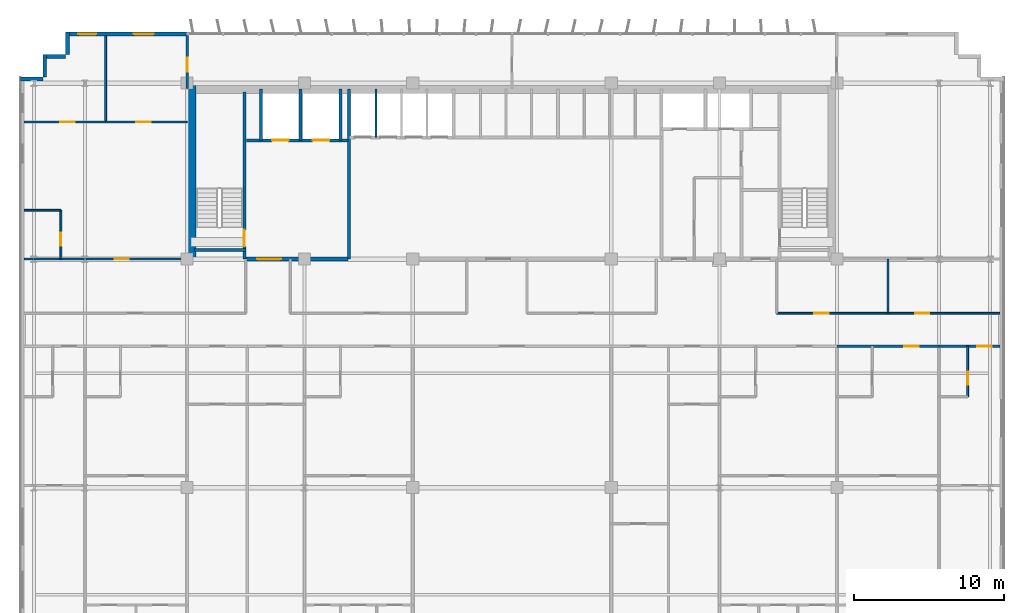
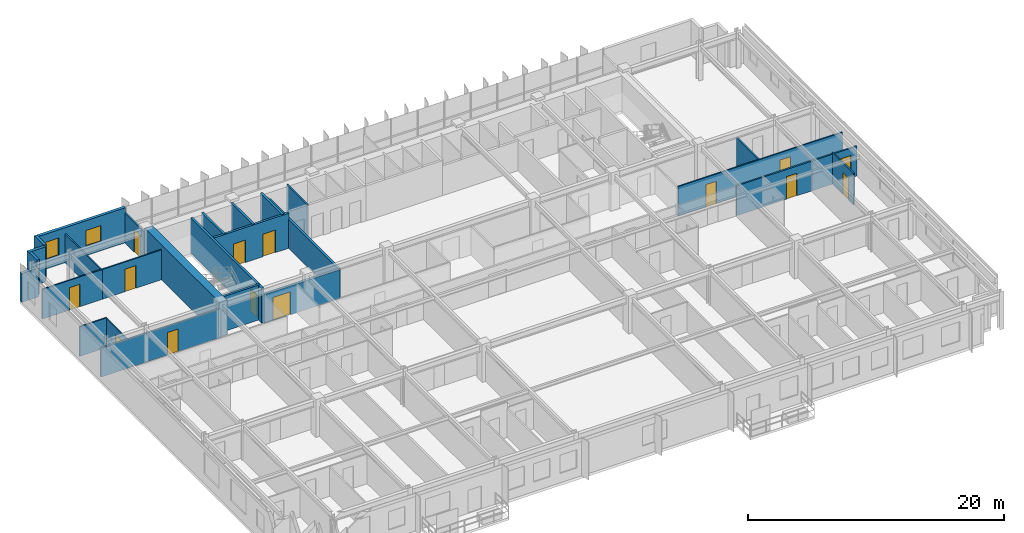
# One storey, part 17 of 22: 27 walls, 14 doors, 2 windows, 16 openings.
"""IFC4 building model written with IfcOpenShell, lengths in metres."""

from ifc_helpers import new_model, si_unit, direction, frame, frame_2d, origin, place, context, subcontext, project, spatial, rectangle, extrude, source, transform, mapped, material, layer, layer_set, type_object, element, fill, save


model = new_model("IFC4")

# Units and contexts
model_context = context("Model", 3, precision=1e-05, world=origin(), true_north=direction((0.0, 1.0)))
body_context = subcontext(model_context, "Body", "Model", "MODEL_VIEW")
ifc_project = project(units=[si_unit("LENGTHUNIT", "METRE"), si_unit("AREAUNIT", "SQUARE_METRE"), si_unit("VOLUMEUNIT", "CUBIC_METRE"), si_unit("PLANEANGLEUNIT", "RADIAN"), si_unit("MASSUNIT", "GRAM", prefix="KILO")], contexts=[model_context])

# Site, building, storey
site_placement = place(None, origin())
site = spatial("IfcSite", under=ifc_project, at=site_placement, CompositionType="ELEMENT")
building_placement = place(site_placement, origin())
building = spatial("IfcBuilding", under=site, at=building_placement, Name="Trelvane Seafront Commons", CompositionType="ELEMENT")
storey_placement = place(building_placement, frame((0.0, 0.0, 92.5)))
storey = spatial("IfcBuildingStorey", under=building, at=storey_placement, Name="L23", CompositionType="ELEMENT", Elevation=92.5)

# Wall, openings, windows
ifc_material_1 = material(Name="Precast concrete C40/50", Category="concrete")
ifc_layer_1 = layer(ifc_material_1, 0.260009765625, Name="ARCH-WALL-EXT260")
ifc_layer_set_1 = layer_set([ifc_layer_1], Name="Precast concrete C40/50")
wall_type_1 = type_object("IfcWallType", Name="ARCH-WALL-EXT260", PredefinedType="SOLIDWALL", material=ifc_layer_set_1)
wall_1_placement = place(storey_placement, frame((7.60009765625, 48.3701171875, 0.0), z_axis=(0.0, 0.0, 1.0), x_axis=(1.0, 0.0, 0.0)))
wall_1 = element("IfcWall", 1, at=wall_1_placement, inside=storey, type_object=wall_type_1, Name="EW-L23-NW-0412", PredefinedType="SOLIDWALL", context=body_context, shape_type="SweptSolid", body=[
    extrude(rectangle(XDim=8.0, YDim=0.260009765625, at=frame_2d((4.0, 0.0))), origin(), (0.0, 0.0, 1.0), 3.340087890625),
])
opening_1_placement = place(wall_1_placement, frame((0.76806640625, 0.0, 0.89990234375)))
opening_1 = element("IfcOpeningElement", 2, at=opening_1_placement, cuts=wall_1, Name="Opening W05", PredefinedType="OPENING", context=body_context, shape_type="SweptSolid", body=[
    extrude(rectangle(XDim=1.199951171875, YDim=1.64990234375, at=frame_2d((0.60009765625, 0.824951171875))), frame((0.0, 0.139892578125, 0.0), z_axis=(0.0, -1.0, 0.0), x_axis=(1.0, 0.0, 0.0)), (0.0, 0.0, 1.0), 0.280029296875),
])
opening_2_placement = place(wall_1_placement, frame((4.44091796875, 0.0, 0.89990234375)))
opening_2 = element("IfcOpeningElement", 3, at=opening_2_placement, cuts=wall_1, Name="Opening W09", PredefinedType="OPENING", context=body_context, shape_type="SweptSolid", body=[
    extrude(rectangle(XDim=1.35009765625, YDim=1.5, at=frame_2d((0.675048828125, 0.75))), frame((0.0, 0.139892578125, 0.0), z_axis=(0.0, -1.0, 0.0), x_axis=(1.0, 0.0, 0.0)), (0.0, 0.0, 1.0), 0.280029296875),
])
ifc_material_2 = material(Name="Low-E coastal double glazing", Category="glass")
window_type_1 = type_object("IfcWindowType", Name="ARCH-WIN-W09", PartitioningType="SINGLE_PANEL", PredefinedType="WINDOW", material=ifc_material_2)
shared_shape_1 = source(origin(), body_context, "Body", "SweptSolid", [
    extrude(rectangle(XDim=1.35009765625, YDim=1.5, at=frame_2d((0.675048828125, 0.75))), frame((0.0, 0.030029296875, 0.0), z_axis=(0.0, -1.0, 0.0), x_axis=(1.0, 0.0, 0.0)), (0.0, 0.0, 1.0), 0.06005859375),
])
window_1_placement = place(opening_2_placement, origin())
window_1 = element("IfcWindow", 4, at=window_1_placement, inside=storey, type_object=window_type_1, Name="WIN-L23-00477", OverallHeight=1.5, OverallWidth=1.35009765625, PartitioningType="SINGLE_PANEL", PredefinedType="WINDOW", context=body_context, shape_type="MappedRepresentation", body=[
    mapped(shared_shape_1, transform((0.0, 0.0, 0.0), x_axis=(1.0, 0.0, 0.0), y_axis=(0.0, 1.0, 0.0), z_axis=(0.0, 0.0, 1.0), scale=1.0)),
])
fill(opening_2, window_1)
window_type_2 = type_object("IfcWindowType", Name="ARCH-WIN-W05", PartitioningType="SINGLE_PANEL", PredefinedType="WINDOW", material=ifc_material_2)
shared_shape_2 = source(origin(), body_context, "Body", "SweptSolid", [
    extrude(rectangle(XDim=1.199951171875, YDim=1.64990234375, at=frame_2d((0.60009765625, 0.824951171875))), frame((0.0, 0.030029296875, 0.0), z_axis=(0.0, -1.0, 0.0), x_axis=(1.0, 0.0, 0.0)), (0.0, 0.0, 1.0), 0.06005859375),
])
window_2_placement = place(opening_1_placement, origin())
window_2 = element("IfcWindow", 5, at=window_2_placement, inside=storey, type_object=window_type_2, Name="WIN-L23-00476", OverallHeight=1.64990234375, OverallWidth=1.199951171875, PartitioningType="SINGLE_PANEL", PredefinedType="WINDOW", context=body_context, shape_type="MappedRepresentation", body=[
    mapped(shared_shape_2, transform((0.0, 0.0, 0.0), x_axis=(1.0, 0.0, 0.0), y_axis=(0.0, 1.0, 0.0), z_axis=(0.0, 0.0, 1.0), scale=1.0)),
])
fill(opening_1, window_2)

# Walls
wall_2_placement = place(storey_placement, frame((4.5, 45.3701171875, 0.0), z_axis=(0.0, 0.0, 1.0), x_axis=(1.0, 0.0, 0.0)))
element("IfcWall", 6, at=wall_2_placement, inside=storey, type_object=wall_type_1, Name="EW-L23-00418", PredefinedType="SOLIDWALL", context=body_context, shape_type="SweptSolid", body=[
    extrude(rectangle(XDim=1.5, YDim=0.260009765625, at=frame_2d((0.75, 0.0))), origin(), (0.0, 0.0, 1.0), 2.751953125),
])
for number, where, z_axis, x_axis, name in (
    (7, (6.1298828125, 45.5, 0.0), (0.0, 0.0, 1.0), (0.0, 1.0, 0.0), "EW-L23-00419"),
    (8, (6.0, 46.8701171875, 0.0), (0.0, 0.0, 1.0), (1.0, 0.0, 0.0), "EW-L23-00420"),
    (9, (7.6298828125, 47.0, 0.0), (0.0, 0.0, 1.0), (0.0, 1.0, 0.0), "EW-L23-00421"),
):
    element("IfcWall", number, at=place(storey_placement, frame(where, z_axis=z_axis, x_axis=x_axis)), inside=storey, type_object=wall_type_1, Name=name, PredefinedType="SOLIDWALL", context=body_context, shape_type="SweptSolid", body=[
        extrude(rectangle(XDim=1.5, YDim=0.260009765625, at=frame_2d((0.75, 0.0))), origin(), (0.0, 0.0, 1.0), 3.340087890625),
    ])

# Wall, opening, door
ifc_material_3 = material(Name="Concrete C40/50", Category="concrete")
ifc_layer_2 = layer(ifc_material_3, 0.25, Name="ARCH-WALL-FIRE250")
ifc_layer_set_2 = layer_set([ifc_layer_2], Name="Concrete C40/50")
wall_type_2 = type_object("IfcWallType", Name="ARCH-WALL-FIRE250", PredefinedType="PARTITIONING", material=ifc_layer_set_2)
wall_3_placement = place(storey_placement, frame((19.5, 33.39990234375, 0.0), z_axis=(0.0, 0.0, 1.0), x_axis=(1.0, 0.0, 0.0)))
wall_3 = element("IfcWall", 10, at=wall_3_placement, inside=storey, type_object=wall_type_2, Name="W-L23-CS-FFL-013", PredefinedType="PARTITIONING", context=body_context, shape_type="SweptSolid", body=[
    extrude(rectangle(XDim=6.800048828125, YDim=0.25, at=frame_2d((3.39990234375, 0.0))), origin(), (0.0, 0.0, 1.0), 2.751953125),
])
opening_3_placement = place(wall_3_placement, frame((0.75, 0.0, 0.0)))
opening_3 = element("IfcOpeningElement", 11, at=opening_3_placement, cuts=wall_3, Name="Opening FD-L23-05", PredefinedType="OPENING", context=body_context, shape_type="SweptSolid", body=[
    extrude(rectangle(XDim=1.60009765625, YDim=2.199951171875, at=frame_2d((0.800048828125, 1.10009765625))), frame((0.0, 0.135009765625, 0.0), z_axis=(0.0, -1.0, 0.0), x_axis=(1.0, 0.0, 0.0)), (0.0, 0.0, 1.0), 0.27001953125),
])
ifc_material_4 = material(Name="Powder-coated aluminium frame", Category="aluminium")
door_type_1 = type_object("IfcDoorType", Name="ARCH-DR-FD60-1600", OperationType="DOUBLE_DOOR_SINGLE_SWING", PredefinedType="DOOR", material=ifc_material_4)
shared_shape_3 = source(origin(), body_context, "Body", "SweptSolid", [
    extrude(rectangle(XDim=1.60009765625, YDim=2.199951171875, at=frame_2d((0.800048828125, 1.10009765625))), frame((0.0, 0.02490234375, 0.0), z_axis=(0.0, -1.0, 0.0), x_axis=(1.0, 0.0, 0.0)), (0.0, 0.0, 1.0), 0.050048828125),
])
door_1_placement = place(opening_3_placement, origin())
door_1 = element("IfcDoor", 12, at=door_1_placement, inside=storey, type_object=door_type_1, Name="L23 Firefighting Lift Lobby Double Fire Door", OperationType="DOUBLE_DOOR_SINGLE_SWING", OverallHeight=2.199951171875, OverallWidth=1.60009765625, PredefinedType="DOOR", context=body_context, shape_type="MappedRepresentation", body=[
    mapped(shared_shape_3, transform((0.0, 0.0, 0.0), x_axis=(1.0, 0.0, 0.0), y_axis=(0.0, 1.0, 0.0), z_axis=(0.0, 0.0, 1.0), scale=1.0)),
])
fill(opening_3, door_1)

# Wall
ifc_material_5 = material(Name="Gypsum Drywall Acoustic Partition")
ifc_layer_3 = layer(ifc_material_5, 0.1201171875, Name="ARCH-WALL-PART120")
ifc_layer_set_3 = layer_set([ifc_layer_3], Name="Gypsum Drywall Acoustic Partition")
wall_type_3 = type_object("IfcWallType", Name="ARCH-WALL-PART120", PredefinedType="PARTITIONING", material=ifc_layer_set_3)
wall_4_placement = place(storey_placement, frame((28.14990234375, 41.5, 0.0), z_axis=(0.0, 0.0, 1.0), x_axis=(0.0, 1.0, 0.0)))
element("IfcWall", 13, at=wall_4_placement, inside=storey, type_object=wall_type_3, Name="W-L23-PL-DIV1-016", PredefinedType="PARTITIONING", context=body_context, shape_type="SweptSolid", body=[
    extrude(rectangle(XDim=3.199951171875, YDim=0.1201171875, at=frame_2d((1.60009765625, 0.0))), origin(), (0.0, 0.0, 1.0), 3.340087890625),
])

# Wall, openings, doors
wall_5_placement = place(storey_placement, frame((54.800048828125, 29.800048828125, 0.0), z_axis=(0.0, 0.0, 1.0), x_axis=(1.0, 0.0, 0.0)))
wall_5 = element("IfcWall", 14, at=wall_5_placement, inside=storey, type_object=wall_type_3, Name="W-L23-CORR-N-E-041", PredefinedType="PARTITIONING", context=body_context, shape_type="SweptSolid", body=[
    extrude(rectangle(XDim=14.849853515625, YDim=0.1201171875, at=frame_2d((7.4248046875, 0.0))), origin(), (0.0, 0.0, 1.0), 2.840087890625),
])
opening_4_placement = place(wall_5_placement, frame((2.5, 0.0, 0.0)))
opening_4 = element("IfcOpeningElement", 15, at=opening_4_placement, cuts=wall_5, Name="Opening D-L23-20", PredefinedType="OPENING", context=body_context, shape_type="SweptSolid", body=[
    extrude(rectangle(XDim=0.949951171875, YDim=2.14990234375, at=frame_2d((0.47509765625, 1.074951171875))), frame((0.0, 0.070068359375, 0.0), z_axis=(0.0, -1.0, 0.0), x_axis=(1.0, 0.0, 0.0)), (0.0, 0.0, 1.0), 0.14013671875),
])
opening_5_placement = place(wall_5_placement, frame((9.199951171875, 0.0, 0.0)))
opening_5 = element("IfcOpeningElement", 16, at=opening_5_placement, cuts=wall_5, Name="Opening D-L23-21", PredefinedType="OPENING", context=body_context, shape_type="SweptSolid", body=[
    extrude(rectangle(XDim=0.949951171875, YDim=2.14990234375, at=frame_2d((0.47509765625, 1.074951171875))), frame((0.0, 0.070068359375, 0.0), z_axis=(0.0, -1.0, 0.0), x_axis=(1.0, 0.0, 0.0)), (0.0, 0.0, 1.0), 0.14013671875),
])
ifc_material_6 = material(Name="Acoustic timber door leaf", Category="wood")
door_type_2 = type_object("IfcDoorType", Name="ARCH-DR-INT950", OperationType="NOTDEFINED", PredefinedType="DOOR", material=ifc_material_6)
shared_shape_4 = source(origin(), body_context, "Body", "SweptSolid", [
    extrude(rectangle(XDim=0.949951171875, YDim=2.14990234375, at=frame_2d((0.47509765625, 1.074951171875))), frame((0.0, 0.02490234375, 0.0), z_axis=(0.0, -1.0, 0.0), x_axis=(1.0, 0.0, 0.0)), (0.0, 0.0, 1.0), 0.050048828125),
])
door_2_placement = place(opening_4_placement, origin())
door_2 = element("IfcDoor", 17, at=door_2_placement, inside=storey, type_object=door_type_2, Name="L23 Door 20", OperationType="SINGLE_SWING_RIGHT", OverallHeight=2.14990234375, OverallWidth=0.949951171875, PredefinedType="DOOR", context=body_context, shape_type="MappedRepresentation", body=[
    mapped(shared_shape_4, transform((0.0, 0.0, 0.0), x_axis=(1.0, 0.0, 0.0), y_axis=(0.0, 1.0, 0.0), z_axis=(0.0, 0.0, 1.0), scale=1.0)),
])
fill(opening_4, door_2)
door_3_placement = place(opening_5_placement, origin())
door_3 = element("IfcDoor", 18, at=door_3_placement, inside=storey, type_object=door_type_2, Name="L23 Door 21", OperationType="SINGLE_SWING_LEFT", OverallHeight=2.14990234375, OverallWidth=0.949951171875, PredefinedType="DOOR", context=body_context, shape_type="MappedRepresentation", body=[
    mapped(shared_shape_4, transform((0.0, 0.0, 0.0), x_axis=(1.0, 0.0, 0.0), y_axis=(0.0, 1.0, 0.0), z_axis=(0.0, 0.0, 1.0), scale=1.0)),
])
fill(opening_5, door_3)

# Wall
wall_6_placement = place(storey_placement, frame((62.199951171875, 29.800048828125, 0.0), z_axis=(0.0, 0.0, 1.0), x_axis=(0.0, 1.0, 0.0)))
element("IfcWall", 19, at=wall_6_placement, inside=storey, type_object=wall_type_3, Name="W-L23-N-LAUN-DV-042", PredefinedType="PARTITIONING", context=body_context, shape_type="SweptSolid", body=[
    extrude(rectangle(XDim=3.599853515625, YDim=0.1201171875, at=frame_2d((1.7998046875, 0.0))), origin(), (0.0, 0.0, 1.0), 2.751953125),
])

# Wall, opening, door
wall_7_placement = place(storey_placement, frame((7.199951171875, 33.39990234375, 0.0), z_axis=(0.0, 0.0, 1.0), x_axis=(0.0, 1.0, 0.0)))
wall_7 = element("IfcWall", 20, at=wall_7_placement, inside=storey, type_object=wall_type_3, Name="W-L23-NW-BE-049", PredefinedType="PARTITIONING", context=body_context, shape_type="SweptSolid", body=[
    extrude(rectangle(XDim=3.25, YDim=0.1201171875, at=frame_2d((1.625, 0.0))), origin(), (0.0, 0.0, 1.0), 2.751953125),
])
opening_6_placement = place(wall_7_placement, frame((0.89990234375, 0.0, 0.0)))
opening_6 = element("IfcOpeningElement", 21, at=opening_6_placement, cuts=wall_7, Name="Opening D-L23-22", PredefinedType="OPENING", context=body_context, shape_type="SweptSolid", body=[
    extrude(rectangle(XDim=0.85009765625, YDim=2.10009765625, at=frame_2d((0.425048828125, 1.050048828125))), frame((0.0, 0.070068359375, 0.0), z_axis=(0.0, -1.0, 0.0), x_axis=(1.0, 0.0, 0.0)), (0.0, 0.0, 1.0), 0.14013671875),
])
door_type_3 = type_object("IfcDoorType", Name="ARCH-DR-INT850", OperationType="NOTDEFINED", PredefinedType="DOOR", material=ifc_material_6)
shared_shape_5 = source(origin(), body_context, "Body", "SweptSolid", [
    extrude(rectangle(XDim=0.85009765625, YDim=2.10009765625, at=frame_2d((0.425048828125, 1.050048828125))), frame((0.0, 0.02490234375, 0.0), z_axis=(0.0, -1.0, 0.0), x_axis=(1.0, 0.0, 0.0)), (0.0, 0.0, 1.0), 0.050048828125),
])
door_4_placement = place(opening_6_placement, origin())
door_4 = element("IfcDoor", 22, at=door_4_placement, inside=storey, type_object=door_type_3, Name="L23 Door 22", OperationType="SINGLE_SWING_RIGHT", OverallHeight=2.10009765625, OverallWidth=0.85009765625, PredefinedType="DOOR", context=body_context, shape_type="MappedRepresentation", body=[
    mapped(shared_shape_5, transform((0.0, 0.0, 0.0), x_axis=(1.0, 0.0, 0.0), y_axis=(0.0, 1.0, 0.0), z_axis=(0.0, 0.0, 1.0), scale=1.0)),
])
fill(opening_6, door_4)

# Wall
wall_8_placement = place(storey_placement, frame((4.75, 36.64990234375, 0.0), z_axis=(0.0, 0.0, 1.0), x_axis=(1.0, 0.0, 0.0)))
element("IfcWall", 23, at=wall_8_placement, inside=storey, type_object=wall_type_3, Name="W-L23-NW-BN-050", PredefinedType="PARTITIONING", context=body_context, shape_type="SweptSolid", body=[
    extrude(rectangle(XDim=2.449951171875, YDim=0.1201171875, at=frame_2d((1.22509765625, 0.0))), origin(), (0.0, 0.0, 1.0), 2.840087890625),
])

# Wall, opening, door
wall_9_placement = place(storey_placement, frame((4.75, 42.52001953125, 0.0), z_axis=(0.0, 0.0, 1.0), x_axis=(1.0, 0.0, 0.0)))
wall_9 = element("IfcWall", 24, at=wall_9_placement, inside=storey, type_object=wall_type_3, Name="W-L23-NW-KB1-051", PredefinedType="PARTITIONING", context=body_context, shape_type="SweptSolid", body=[
    extrude(rectangle(XDim=5.425048828125, YDim=0.1201171875, at=frame_2d((2.71240234375, 0.0))), origin(), (0.0, 0.0, 1.0), 2.840087890625),
])
opening_7_placement = place(wall_9_placement, frame((2.423095703125, 0.0, 0.0)))
opening_7 = element("IfcOpeningElement", 25, at=opening_7_placement, cuts=wall_9, Name="Opening D-L23-23", PredefinedType="OPENING", context=body_context, shape_type="SweptSolid", body=[
    extrude(rectangle(XDim=0.949951171875, YDim=2.14990234375, at=frame_2d((0.47509765625, 1.074951171875))), frame((0.0, 0.070068359375, 0.0), z_axis=(0.0, -1.0, 0.0), x_axis=(1.0, 0.0, 0.0)), (0.0, 0.0, 1.0), 0.14013671875),
])
door_5_placement = place(opening_7_placement, origin())
door_5 = element("IfcDoor", 26, at=door_5_placement, inside=storey, type_object=door_type_2, Name="L23 Door 23", OperationType="SINGLE_SWING_LEFT", OverallHeight=2.14990234375, OverallWidth=0.949951171875, PredefinedType="DOOR", context=body_context, shape_type="MappedRepresentation", body=[
    mapped(shared_shape_4, transform((0.0, 0.0, 0.0), x_axis=(1.0, 0.0, 0.0), y_axis=(0.0, 1.0, 0.0), z_axis=(0.0, 0.0, 1.0), scale=1.0)),
])
fill(opening_7, door_5)

wall_10_placement = place(storey_placement, frame((10.175048828125, 42.52001953125, 0.0), z_axis=(0.0, 0.0, 1.0), x_axis=(1.0, 0.0, 0.0)))
wall_10 = element("IfcWall", 27, at=wall_10_placement, inside=storey, type_object=wall_type_3, Name="W-L23-NW-KB2-052", PredefinedType="PARTITIONING", context=body_context, shape_type="SweptSolid", body=[
    extrude(rectangle(XDim=5.425048828125, YDim=0.1201171875, at=frame_2d((2.71240234375, 0.0))), origin(), (0.0, 0.0, 1.0), 2.840087890625),
])
opening_8_placement = place(wall_10_placement, frame((2.052001953125, 0.0, 0.0)))
opening_8 = element("IfcOpeningElement", 28, at=opening_8_placement, cuts=wall_10, Name="Opening D-L23-24", PredefinedType="OPENING", context=body_context, shape_type="SweptSolid", body=[
    extrude(rectangle(XDim=0.949951171875, YDim=2.14990234375, at=frame_2d((0.47509765625, 1.074951171875))), frame((0.0, 0.070068359375, 0.0), z_axis=(0.0, -1.0, 0.0), x_axis=(1.0, 0.0, 0.0)), (0.0, 0.0, 1.0), 0.14013671875),
])
door_6_placement = place(opening_8_placement, origin())
door_6 = element("IfcDoor", 29, at=door_6_placement, inside=storey, type_object=door_type_2, Name="L23 Door 24", OperationType="SINGLE_SWING_RIGHT", OverallHeight=2.14990234375, OverallWidth=0.949951171875, PredefinedType="DOOR", context=body_context, shape_type="MappedRepresentation", body=[
    mapped(shared_shape_4, transform((0.0, 0.0, 0.0), x_axis=(1.0, 0.0, 0.0), y_axis=(0.0, 1.0, 0.0), z_axis=(0.0, 0.0, 1.0), scale=1.0)),
])
fill(opening_8, door_6)

# Wall
wall_11_placement = place(storey_placement, frame((10.175048828125, 42.52001953125, 0.0), z_axis=(0.0, 0.0, 1.0), x_axis=(0.0, 1.0, 0.0)))
element("IfcWall", 30, at=wall_11_placement, inside=storey, type_object=wall_type_3, Name="W-L23-NW-KBDV-053", PredefinedType="PARTITIONING", context=body_context, shape_type="SweptSolid", body=[
    extrude(rectangle(XDim=5.719970703125, YDim=0.1201171875, at=frame_2d((2.85986328125, 0.0))), origin(), (0.0, 0.0, 1.0), 2.751953125),
])

# Wall, opening, door
wall_12_placement = place(storey_placement, frame((67.5, 24.25, 0.0), z_axis=(0.0, 0.0, 1.0), x_axis=(0.0, 1.0, 0.0)))
wall_12 = element("IfcWall", 31, at=wall_12_placement, inside=storey, type_object=wall_type_3, Name="W-L23-U11-BE-116", PredefinedType="PARTITIONING", context=body_context, shape_type="SweptSolid", body=[
    extrude(rectangle(XDim=3.35009765625, YDim=0.1201171875, at=frame_2d((1.675048828125, 0.0))), origin(), (0.0, 0.0, 1.0), 2.989990234375),
])
opening_9_placement = place(wall_12_placement, frame((0.800048828125, 0.0, 0.0)))
opening_9 = element("IfcOpeningElement", 32, at=opening_9_placement, cuts=wall_12, Name="Opening D-L23-66", PredefinedType="OPENING", context=body_context, shape_type="SweptSolid", body=[
    extrude(rectangle(XDim=0.85009765625, YDim=2.10009765625, at=frame_2d((0.425048828125, 1.050048828125))), frame((0.0, 0.070068359375, 0.0), z_axis=(0.0, -1.0, 0.0), x_axis=(1.0, 0.0, 0.0)), (0.0, 0.0, 1.0), 0.14013671875),
])
door_7_placement = place(opening_9_placement, origin())
door_7 = element("IfcDoor", 33, at=door_7_placement, inside=storey, type_object=door_type_3, Name="L23 Door 66", OperationType="SINGLE_SWING_RIGHT", OverallHeight=2.10009765625, OverallWidth=0.85009765625, PredefinedType="DOOR", context=body_context, shape_type="MappedRepresentation", body=[
    mapped(shared_shape_5, transform((0.0, 0.0, 0.0), x_axis=(1.0, 0.0, 0.0), y_axis=(0.0, 1.0, 0.0), z_axis=(0.0, 0.0, 1.0), scale=1.0)),
])
fill(opening_9, door_7)

ifc_layer_4 = layer(ifc_material_5, 0.14990234375, Name="ARCH-WALL-PART150")
ifc_layer_set_4 = layer_set([ifc_layer_4], Name="Gypsum Drywall Acoustic Partition")
wall_type_4 = type_object("IfcWallType", Name="ARCH-WALL-PART150", PredefinedType="PARTITIONING", material=ifc_layer_set_4)
wall_13_placement = place(storey_placement, frame((4.75, 33.39990234375, 0.0), z_axis=(0.0, 0.0, 1.0), x_axis=(1.0, 0.0, 0.0)))
wall_13 = element("IfcWall", 34, at=wall_13_placement, inside=storey, type_object=wall_type_4, Name="W-L23-NW-ENT-054", PredefinedType="PARTITIONING", context=body_context, shape_type="SweptSolid", body=[
    extrude(rectangle(XDim=10.85009765625, YDim=0.14990234375, at=frame_2d((5.425048828125, 0.0))), origin(), (0.0, 0.0, 1.0), 2.751953125),
])
opening_10_placement = place(wall_13_placement, frame((6.02490234375, 0.0, 0.0)))
opening_10 = element("IfcOpeningElement", 35, at=opening_10_placement, cuts=wall_13, Name="Opening FD-L23-25", PredefinedType="OPENING", context=body_context, shape_type="SweptSolid", body=[
    extrude(rectangle(XDim=0.949951171875, YDim=2.14990234375, at=frame_2d((0.47509765625, 1.074951171875))), frame((0.0, 0.0849609375, 0.0), z_axis=(0.0, -1.0, 0.0), x_axis=(1.0, 0.0, 0.0)), (0.0, 0.0, 1.0), 0.169921875),
])
door_type_4 = type_object("IfcDoorType", Name="ARCH-DR-FD60-950", OperationType="NOTDEFINED", PredefinedType="DOOR", material=ifc_material_4)
door_8_placement = place(opening_10_placement, origin())
door_8 = element("IfcDoor", 36, at=door_8_placement, inside=storey, type_object=door_type_4, Name="L23 NW Flat Entrance Door", OperationType="SINGLE_SWING_LEFT", OverallHeight=2.14990234375, OverallWidth=0.949951171875, PredefinedType="DOOR", context=body_context, shape_type="MappedRepresentation", body=[
    mapped(shared_shape_4, transform((0.0, 0.0, 0.0), x_axis=(1.0, 0.0, 0.0), y_axis=(0.0, 1.0, 0.0), z_axis=(0.0, 0.0, 1.0), scale=1.0)),
])
fill(opening_10, door_8)

wall_14_placement = place(storey_placement, frame((15.60009765625, 44.75, 0.0), z_axis=(0.0, 0.0, 1.0), x_axis=(0.0, 1.0, 0.0)))
wall_14 = element("IfcWall", 37, at=wall_14_placement, inside=storey, type_object=wall_type_4, Name="W-L23-N-LINK-W-057", PredefinedType="PARTITIONING", context=body_context, shape_type="SweptSolid", body=[
    extrude(rectangle(XDim=3.610107421875, YDim=0.14990234375, at=frame_2d((1.80517578125, 0.0))), origin(), (0.0, 0.0, 1.0), 2.840087890625),
])
opening_11_placement = place(wall_14_placement, frame((1.10009765625, 0.0, 0.0)))
opening_11 = element("IfcOpeningElement", 38, at=opening_11_placement, cuts=wall_14, Name="Opening FD-L23-28", PredefinedType="OPENING", context=body_context, shape_type="SweptSolid", body=[
    extrude(rectangle(XDim=0.949951171875, YDim=2.14990234375, at=frame_2d((0.47509765625, 1.074951171875))), frame((0.0, 0.0849609375, 0.0), z_axis=(0.0, -1.0, 0.0), x_axis=(1.0, 0.0, 0.0)), (0.0, 0.0, 1.0), 0.169921875),
])
door_9_placement = place(opening_11_placement, origin())
door_9 = element("IfcDoor", 39, at=door_9_placement, inside=storey, type_object=door_type_4, Name="L23 Door 28", OperationType="SINGLE_SWING_RIGHT", OverallHeight=2.14990234375, OverallWidth=0.949951171875, PredefinedType="DOOR", context=body_context, shape_type="MappedRepresentation", body=[
    mapped(shared_shape_4, transform((0.0, 0.0, 0.0), x_axis=(1.0, 0.0, 0.0), y_axis=(0.0, 1.0, 0.0), z_axis=(0.0, 0.0, 1.0), scale=1.0)),
])
fill(opening_11, door_9)

wall_15_placement = place(storey_placement, frame((58.800048828125, 27.60009765625, 0.0), z_axis=(0.0, 0.0, 1.0), x_axis=(1.0, 0.0, 0.0)))
wall_15 = element("IfcWall", 40, at=wall_15_placement, inside=storey, type_object=wall_type_4, Name="W-L23-CS-BAY-10-111", PredefinedType="PARTITIONING", context=body_context, shape_type="SweptSolid", body=[
    extrude(rectangle(XDim=6.800048828125, YDim=0.14990234375, at=frame_2d((3.39990234375, 0.0))), origin(), (0.0, 0.0, 1.0), 2.840087890625),
])
opening_12_placement = place(wall_15_placement, frame((4.489990234375, 0.0, 0.0)))
opening_12 = element("IfcOpeningElement", 41, at=opening_12_placement, cuts=wall_15, Name="Opening FD-L23-62", PredefinedType="OPENING", context=body_context, shape_type="SweptSolid", body=[
    extrude(rectangle(XDim=0.949951171875, YDim=2.14990234375, at=frame_2d((0.47509765625, 1.074951171875))), frame((0.0, 0.0849609375, 0.0), z_axis=(0.0, -1.0, 0.0), x_axis=(1.0, 0.0, 0.0)), (0.0, 0.0, 1.0), 0.169921875),
])
door_10_placement = place(opening_12_placement, origin())
door_10 = element("IfcDoor", 42, at=door_10_placement, inside=storey, type_object=door_type_4, Name="L23 Unit 10 Entrance Door", OperationType="SINGLE_SWING_RIGHT", OverallHeight=2.14990234375, OverallWidth=0.949951171875, PredefinedType="DOOR", context=body_context, shape_type="MappedRepresentation", body=[
    mapped(shared_shape_4, transform((0.0, 0.0, 0.0), x_axis=(1.0, 0.0, 0.0), y_axis=(0.0, 1.0, 0.0), z_axis=(0.0, 0.0, 1.0), scale=1.0)),
])
fill(opening_12, door_10)

wall_16_placement = place(storey_placement, frame((65.60009765625, 27.60009765625, 0.0), z_axis=(0.0, 0.0, 1.0), x_axis=(1.0, 0.0, 0.0)))
wall_16 = element("IfcWall", 43, at=wall_16_placement, inside=storey, type_object=wall_type_4, Name="W-L23-CS-BAY-11-118", PredefinedType="PARTITIONING", context=body_context, shape_type="SweptSolid", body=[
    extrude(rectangle(XDim=4.054931640625, YDim=0.14990234375, at=frame_2d((2.02734375, 0.0))), origin(), (0.0, 0.0, 1.0), 2.840087890625),
])
opening_13_placement = place(wall_16_placement, frame((2.5439453125, 0.0, 0.0)))
opening_13 = element("IfcOpeningElement", 44, at=opening_13_placement, cuts=wall_16, Name="Opening FD-L23-67", PredefinedType="OPENING", context=body_context, shape_type="SweptSolid", body=[
    extrude(rectangle(XDim=0.949951171875, YDim=2.14990234375, at=frame_2d((0.47509765625, 1.074951171875))), frame((0.0, 0.0849609375, 0.0), z_axis=(0.0, -1.0, 0.0), x_axis=(1.0, 0.0, 0.0)), (0.0, 0.0, 1.0), 0.169921875),
])
door_11_placement = place(opening_13_placement, origin())
door_11 = element("IfcDoor", 45, at=door_11_placement, inside=storey, type_object=door_type_4, Name="L23 Unit 11 Entrance Door", OperationType="SINGLE_SWING_LEFT", OverallHeight=2.14990234375, OverallWidth=0.949951171875, PredefinedType="DOOR", context=body_context, shape_type="MappedRepresentation", body=[
    mapped(shared_shape_4, transform((0.0, 0.0, 0.0), x_axis=(1.0, 0.0, 0.0), y_axis=(0.0, 1.0, 0.0), z_axis=(0.0, 0.0, 1.0), scale=1.0)),
])
fill(opening_13, door_11)

# Wall, openings, doors
ifc_layer_5 = layer(ifc_material_3, 0.199951171875, Name="ARCH-WALL-SHAFT200")
ifc_layer_set_5 = layer_set([ifc_layer_5], Name="Concrete C40/50")
wall_type_5 = type_object("IfcWallType", Name="ARCH-WALL-SHAFT200", PredefinedType="SOLIDWALL", material=ifc_layer_set_5)
wall_17_placement = place(storey_placement, frame((19.550048828125, 41.300048828125, 0.0), z_axis=(0.0, 0.0, 1.0), x_axis=(1.0, 0.0, 0.0)))
wall_17 = element("IfcWall", 46, at=wall_17_placement, inside=storey, type_object=wall_type_5, Name="W-L23-FFL-FRONT-008", PredefinedType="SOLIDWALL", context=body_context, shape_type="SweptSolid", body=[
    extrude(rectangle(XDim=6.75, YDim=0.199951171875, at=frame_2d((3.375, 0.0))), origin(), (0.0, 0.0, 1.0), 3.340087890625),
])
opening_14_placement = place(wall_17_placement, frame((1.699951171875, 0.0, 0.0)))
opening_14 = element("IfcOpeningElement", 47, at=opening_14_placement, cuts=wall_17, Name="Opening LD-FF1-L23", PredefinedType="OPENING", context=body_context, shape_type="SweptSolid", body=[
    extrude(rectangle(XDim=1.10009765625, YDim=2.14990234375, at=frame_2d((0.550048828125, 1.074951171875))), frame((0.0, 0.10986328125, 0.0), z_axis=(0.0, -1.0, 0.0), x_axis=(1.0, 0.0, 0.0)), (0.0, 0.0, 1.0), 0.219970703125),
])
opening_15_placement = place(wall_17_placement, frame((4.39990234375, 0.0, 0.0)))
opening_15 = element("IfcOpeningElement", 48, at=opening_15_placement, cuts=wall_17, Name="Opening LD-FF2-L23", PredefinedType="OPENING", context=body_context, shape_type="SweptSolid", body=[
    extrude(rectangle(XDim=1.10009765625, YDim=2.14990234375, at=frame_2d((0.550048828125, 1.074951171875))), frame((0.0, 0.10986328125, 0.0), z_axis=(0.0, -1.0, 0.0), x_axis=(1.0, 0.0, 0.0)), (0.0, 0.0, 1.0), 0.219970703125),
])
ifc_material_7 = material(Name="Stainless steel balustrade", Category="steel")
door_type_5 = type_object("IfcDoorType", Name="ARCH-DR-LD1100", OperationType="DOUBLE_DOOR_SLIDING", PredefinedType="DOOR", material=ifc_material_7)
shared_shape_6 = source(origin(), body_context, "Body", "SweptSolid", [
    extrude(rectangle(XDim=1.10009765625, YDim=2.14990234375, at=frame_2d((0.550048828125, 1.074951171875))), frame((0.0, 0.02490234375, 0.0), z_axis=(0.0, -1.0, 0.0), x_axis=(1.0, 0.0, 0.0)), (0.0, 0.0, 1.0), 0.050048828125),
])
door_12_placement = place(opening_14_placement, origin())
door_12 = element("IfcDoor", 49, at=door_12_placement, inside=storey, type_object=door_type_5, Name="L23 Firefighting Lift FFL-1 Landing Door", OperationType="DOUBLE_DOOR_SLIDING", OverallHeight=2.14990234375, OverallWidth=1.10009765625, PredefinedType="DOOR", context=body_context, shape_type="MappedRepresentation", body=[
    mapped(shared_shape_6, transform((0.0, 0.0, 0.0), x_axis=(1.0, 0.0, 0.0), y_axis=(0.0, 1.0, 0.0), z_axis=(0.0, 0.0, 1.0), scale=1.0)),
])
fill(opening_14, door_12)
door_13_placement = place(opening_15_placement, origin())
door_13 = element("IfcDoor", 50, at=door_13_placement, inside=storey, type_object=door_type_5, Name="L23 Firefighting Lift FFL-2 Landing Door", OperationType="DOUBLE_DOOR_SLIDING", OverallHeight=2.14990234375, OverallWidth=1.10009765625, PredefinedType="DOOR", context=body_context, shape_type="MappedRepresentation", body=[
    mapped(shared_shape_6, transform((0.0, 0.0, 0.0), x_axis=(1.0, 0.0, 0.0), y_axis=(0.0, 1.0, 0.0), z_axis=(0.0, 0.0, 1.0), scale=1.0)),
])
fill(opening_15, door_13)

# Walls
for number, where, z_axis, x_axis, name in (
    (51, (20.5, 41.300048828125, 0.0), (0.0, 0.0, 1.0), (0.0, 1.0, 0.0), "W-L23-FFL-SH-W-009"),
    (52, (23.14990234375, 41.300048828125, 0.0), (0.0, 0.0, 1.0), (0.0, 1.0, 0.0), "W-L23-FFL-DIV-010"),
    (53, (25.800048828125, 41.300048828125, 0.0), (0.0, 0.0, 1.0), (0.0, 1.0, 0.0), "W-L23-FFL-SH-E-011"),
):
    element("IfcWall", number, at=place(storey_placement, frame(where, z_axis=z_axis, x_axis=x_axis)), inside=storey, type_object=wall_type_5, Name=name, PredefinedType="SOLIDWALL", context=body_context, shape_type="SweptSolid", body=[
        extrude(rectangle(XDim=3.39990234375, YDim=0.199951171875, at=frame_2d((1.699951171875, 0.0))), origin(), (0.0, 0.0, 1.0), 3.340087890625),
    ])
wall_18_placement = place(storey_placement, frame((26.35009765625, 33.39990234375, 0.0), z_axis=(0.0, 0.0, 1.0), x_axis=(0.0, 1.0, 0.0)))
element("IfcWall", 54, at=wall_18_placement, inside=storey, type_object=wall_type_5, Name="W-L23-FFL-EAST-012", PredefinedType="SOLIDWALL", context=body_context, shape_type="SweptSolid", body=[
    extrude(rectangle(XDim=11.300048828125, YDim=0.199951171875, at=frame_2d((5.64990234375, 0.0))), origin(), (0.0, 0.0, 1.0), 2.751953125),
])
ifc_material_8 = material(Name="Concrete C60/75", Category="concrete")
ifc_layer_6 = layer(ifc_material_8, 0.699951171875, Name="STR-WALL-CORE700")
ifc_layer_set_6 = layer_set([ifc_layer_6], Name="Concrete C60/75")
wall_type_6 = type_object("IfcWallType", Name="STR-WALL-CORE700", PredefinedType="SHEAR", material=ifc_layer_set_6)
wall_19_placement = place(storey_placement, frame((15.85009765625, 33.39990234375, 0.0), z_axis=(0.0, 0.0, 1.0), x_axis=(0.0, 1.0, 0.0)))
element("IfcWall", 55, at=wall_19_placement, inside=storey, type_object=wall_type_6, Name="W-L23-CW-END-002", PredefinedType="SHEAR", context=body_context, shape_type="SweptSolid", body=[
    extrude(rectangle(XDim=11.7001953125, YDim=0.699951171875, at=frame_2d((5.85009765625, 0.0))), origin(), (0.0, 0.0, 1.0), 3.340087890625),
])
ifc_material_9 = material(Name="Concrete C50/60", Category="concrete")
ifc_layer_7 = layer(ifc_material_9, 0.199951171875, Name="STR-WALL-STAIR200")
ifc_layer_set_7 = layer_set([ifc_layer_7], Name="Concrete C50/60")
wall_type_7 = type_object("IfcWallType", Name="STR-WALL-STAIR200", PredefinedType="SHEAR", material=ifc_layer_set_7)
wall_20_placement = place(storey_placement, frame((16.10009765625, 34.0, 0.0), z_axis=(0.0, 0.0, 1.0), x_axis=(1.0, 0.0, 0.0)))
element("IfcWall", 56, at=wall_20_placement, inside=storey, type_object=wall_type_7, Name="W-L23-ST1-S-004", PredefinedType="SHEAR", context=body_context, shape_type="SweptSolid", body=[
    extrude(rectangle(XDim=3.39990234375, YDim=0.199951171875, at=frame_2d((1.699951171875, 0.0))), origin(), (0.0, 0.0, 1.0), 3.340087890625),
])

# Wall, opening, door
wall_21_placement = place(storey_placement, frame((19.39990234375, 33.39990234375, 0.0), z_axis=(0.0, 0.0, 1.0), x_axis=(0.0, 1.0, 0.0)))
wall_21 = element("IfcWall", 57, at=wall_21_placement, inside=storey, type_object=wall_type_7, Name="W-L23-ST1-E-005", PredefinedType="SHEAR", context=body_context, shape_type="SweptSolid", body=[
    extrude(rectangle(XDim=11.10009765625, YDim=0.199951171875, at=frame_2d((5.550048828125, 0.0))), origin(), (0.0, 0.0, 1.0), 3.340087890625),
])
opening_16_placement = place(wall_21_placement, frame((0.85009765625, 0.0, 0.0)))
opening_16 = element("IfcOpeningElement", 58, at=opening_16_placement, cuts=wall_21, Name="Opening ST-D1-L23", PredefinedType="OPENING", context=body_context, shape_type="SweptSolid", body=[
    extrude(rectangle(XDim=1.10009765625, YDim=2.14990234375, at=frame_2d((0.550048828125, 1.074951171875))), frame((0.0, 0.10986328125, 0.0), z_axis=(0.0, -1.0, 0.0), x_axis=(1.0, 0.0, 0.0)), (0.0, 0.0, 1.0), 0.219970703125),
])
door_type_6 = type_object("IfcDoorType", Name="ARCH-DR-FD90-1100", OperationType="NOTDEFINED", PredefinedType="DOOR", material=ifc_material_4)
door_14_placement = place(opening_16_placement, origin())
door_14 = element("IfcDoor", 59, at=door_14_placement, inside=storey, type_object=door_type_6, Name="L23 Stair ST-1 Lobby Fire Door", OperationType="SINGLE_SWING_LEFT", OverallHeight=2.14990234375, OverallWidth=1.10009765625, PredefinedType="DOOR", context=body_context, shape_type="MappedRepresentation", body=[
    mapped(shared_shape_6, transform((0.0, 0.0, 0.0), x_axis=(1.0, 0.0, 0.0), y_axis=(0.0, 1.0, 0.0), z_axis=(0.0, 0.0, 1.0), scale=1.0)),
])
fill(opening_16, door_14)

save(model, "model.ifc")
